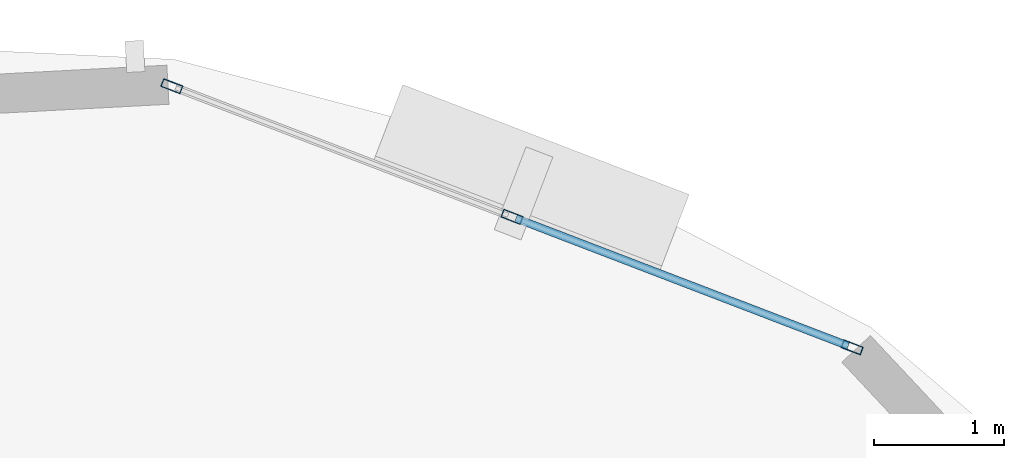
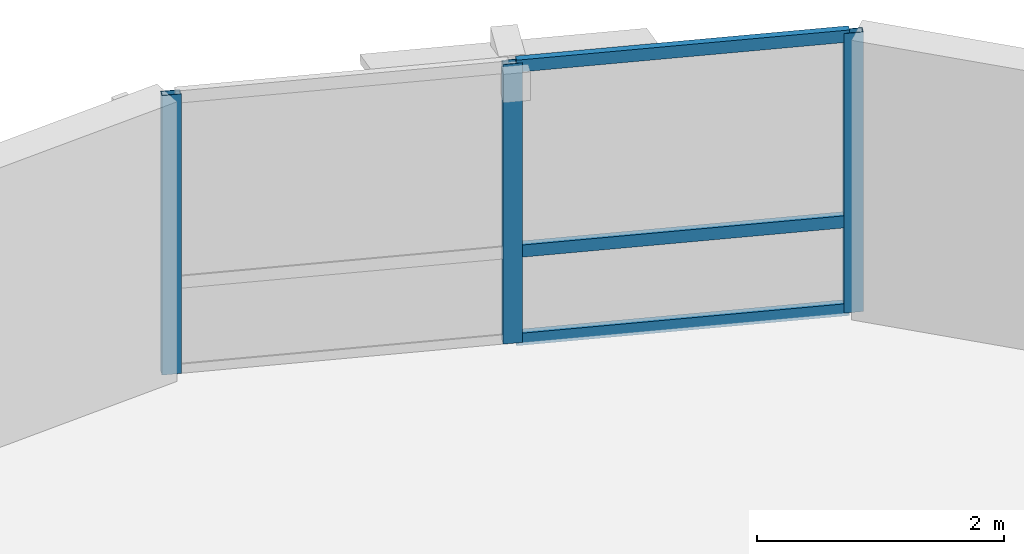
# One storey, part 5 of 11: 6 members, 1 element without a shape of its own.
"""IFC4 building model written with IfcOpenShell, lengths in metres."""

from ifc_helpers import new_model, si_unit, direction, frame, origin, origin_2d, place, context, subcontext, project, spatial, hollow_rectangle, extrude, material, layer, layer_set, material_profile, profile_set, type_object, element, aggregate, save


model = new_model("IFC4")

# Units and contexts
model_context = context("Model", 3, precision=1e-05, world=origin(), true_north=direction((0.0, 1.0)))
body_context = subcontext(model_context, "Body", "Model", "MODEL_VIEW")
ifc_project = project(units=[si_unit("LENGTHUNIT", "METRE"), si_unit("AREAUNIT", "SQUARE_METRE"), si_unit("VOLUMEUNIT", "CUBIC_METRE"), si_unit("PLANEANGLEUNIT", "RADIAN"), si_unit("MASSUNIT", "GRAM", prefix="KILO"), si_unit("THERMODYNAMICTEMPERATUREUNIT", "KELVIN"), si_unit("POWERUNIT", "WATT")], contexts=[model_context])

# Site, building, storey
site_placement = place(None, origin())
site = spatial("IfcSite", under=ifc_project, at=site_placement, CompositionType="ELEMENT")
building_placement = place(site_placement, origin())
building = spatial("IfcBuilding", under=site, at=building_placement, Name="Ocrelia Relay Tower", CompositionType="ELEMENT")
storey_placement = place(building_placement, frame((0.0, 0.0, 262.800048828125)))
storey = spatial("IfcBuildingStorey", under=building, at=storey_placement, Name="L65", CompositionType="ELEMENT", Elevation=262.800048828125)

# Curtain wall, members
ifc_material_1 = material(Name="Aluminium and solar-control low-E glass", Category="aluminium")
ifc_layer = layer(ifc_material_1, 0.179931640625, Name="Aluminium and solar-control low-E glass")
ifc_layer_set = layer_set([ifc_layer], Name="Aluminium and solar-control low-E glass")
curtain_wall_type = type_object("IfcCurtainWallType", Name="CW-SYS-Z4-EXEC", PredefinedType="NOTDEFINED", material=ifc_layer_set)
curtain_wall_placement = place(storey_placement, origin())
curtain_wall = element("IfcCurtainWall", 1, at=curtain_wall_placement, inside=storey, type_object=curtain_wall_type, Name="L65 Elliptical Tower Curtain Wall Bay 01", PredefinedType="NOTDEFINED")
ifc_material_2 = material(Name="Anodised bronze aluminium", Category="aluminium")
ifc_material_profile_1 = material_profile(ifc_material_2, hollow_rectangle(XDim=0.06494140625, YDim=0.159912109375, WallThickness=0.0048828125, at=origin_2d()), Name="CW-MUL-160x65")
ifc_profile_set_1 = profile_set([ifc_material_profile_1], Name="Anodised bronze aluminium")
member_type_1 = type_object("IfcMemberType", Name="CW-SYS-Z4-EXEC-MUL", PredefinedType="MULLION", material=ifc_profile_set_1)
member_1_placement = place(storey_placement, frame((45.697509765625, 43.431640625, 0.0), z_axis=(0.0, 0.0, 1.0), x_axis=(-0.358333833227, -0.93359352181, 0.0)))
member_1 = element("IfcMember", 2, at=member_1_placement, type_object=member_type_1, Name="CW-Z4 mullion 1", PredefinedType="MULLION", context=body_context, shape_type="SweptSolid", body=[
    extrude(hollow_rectangle(XDim=0.06494140625, YDim=0.159912109375, WallThickness=0.0048828125, at=origin_2d()), origin(), (0.0, 0.0, 1.0), 2.760009765625),
])
member_2_placement = place(storey_placement, frame((43.09033203125, 44.432373046875, 0.0), z_axis=(0.0, 0.0, 1.0), x_axis=(-0.358333833227, -0.93359352181, 0.0)))
member_2 = element("IfcMember", 3, at=member_2_placement, type_object=member_type_1, Name="CW-Z4 mullion 2", PredefinedType="MULLION", context=body_context, shape_type="SweptSolid", body=[
    extrude(hollow_rectangle(XDim=0.06494140625, YDim=0.159912109375, WallThickness=0.0048828125, at=origin_2d()), origin(), (0.0, 0.0, 1.0), 2.760009765625),
])
member_3_placement = place(storey_placement, frame((40.483154296875, 45.43310546875, 0.0), z_axis=(0.0, 0.0, 1.0), x_axis=(-0.358333833227, -0.93359352181, 0.0)))
member_3 = element("IfcMember", 4, at=member_3_placement, type_object=member_type_1, Name="CW-Z4 mullion 3", PredefinedType="MULLION", context=body_context, shape_type="SweptSolid", body=[
    extrude(hollow_rectangle(XDim=0.06494140625, YDim=0.159912109375, WallThickness=0.0048828125, at=origin_2d()), origin(), (0.0, 0.0, 1.0), 2.760009765625),
])
ifc_material_profile_2 = material_profile(ifc_material_2, hollow_rectangle(XDim=0.06005859375, YDim=0.1201171875, WallThickness=0.0048828125, at=origin_2d()), Name="CW-TRN-120x60")
ifc_profile_set_2 = profile_set([ifc_material_profile_2], Name="Anodised bronze aluminium")
member_type_2 = type_object("IfcMemberType", Name="CW-SYS-Z4-EXEC-TRN", PredefinedType="USERDEFINED", material=ifc_profile_set_2)
member_4_placement = place(storey_placement, frame((45.667236328125, 43.443359375, 0.030029296875), z_axis=(-0.933612935235, 0.358283249904, 0.0), x_axis=(-0.358283249904, -0.933612935235, 0.0)))
member_4 = element("IfcMember", 5, at=member_4_placement, type_object=member_type_2, Name="CW-Z4 transom 1.1", ObjectType="TRANSOM", PredefinedType="USERDEFINED", context=body_context, shape_type="SweptSolid", body=[
    extrude(hollow_rectangle(XDim=0.06005859375, YDim=0.1201171875, WallThickness=0.0048828125, at=origin_2d()), origin(), (0.0, 0.0, 1.0), 2.727783203125),
])
member_5_placement = place(storey_placement, frame((45.667236328125, 43.443359375, 0.89990234375), z_axis=(-0.933612935235, 0.358283249904, 0.0), x_axis=(-0.358283249904, -0.933612935235, 0.0)))
member_5 = element("IfcMember", 6, at=member_5_placement, type_object=member_type_2, Name="CW-Z4 transom 1.2", ObjectType="TRANSOM", PredefinedType="USERDEFINED", context=body_context, shape_type="SweptSolid", body=[
    extrude(hollow_rectangle(XDim=0.06005859375, YDim=0.1201171875, WallThickness=0.0048828125, at=origin_2d()), origin(), (0.0, 0.0, 1.0), 2.727783203125),
])
member_6_placement = place(storey_placement, frame((45.667236328125, 43.443359375, 2.72998046875), z_axis=(-0.933612935235, 0.358283249904, 0.0), x_axis=(-0.358283249904, -0.933612935235, 0.0)))
member_6 = element("IfcMember", 7, at=member_6_placement, type_object=member_type_2, Name="CW-Z4 transom 1.3", ObjectType="TRANSOM", PredefinedType="USERDEFINED", context=body_context, shape_type="SweptSolid", body=[
    extrude(hollow_rectangle(XDim=0.06005859375, YDim=0.1201171875, WallThickness=0.0048828125, at=origin_2d()), origin(), (0.0, 0.0, 1.0), 2.727783203125),
])
aggregate(curtain_wall, [member_1, member_2, member_3, member_4, member_5, member_6])

save(model, "model.ifc")
